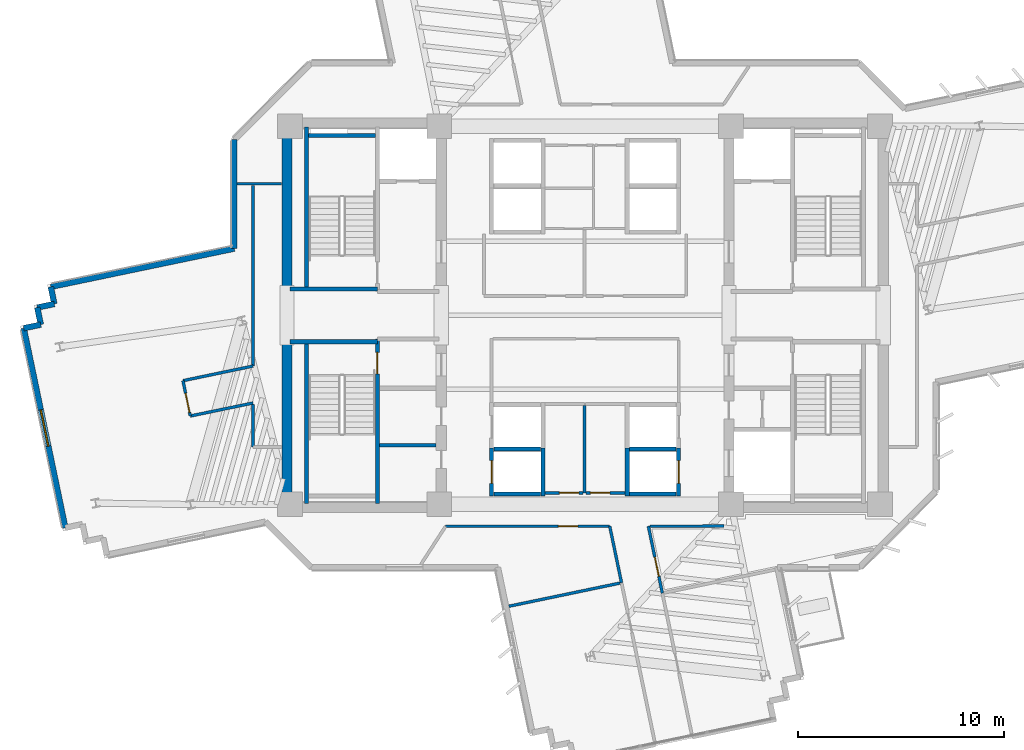
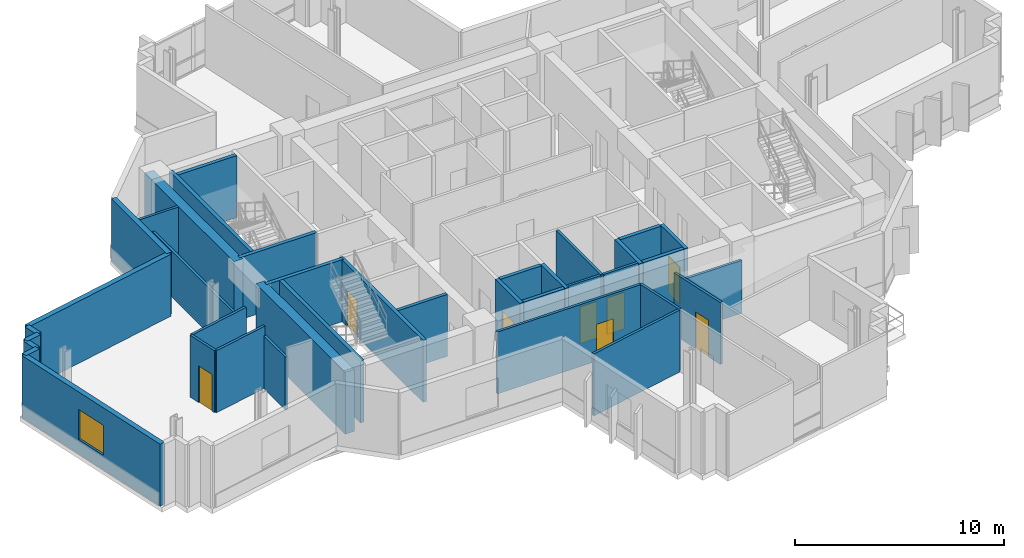
# One storey, part 7 of 14: 38 walls, 8 doors, 1 window, 9 openings.
"""IFC4 building model written with IfcOpenShell, lengths in metres."""

from ifc_helpers import new_model, si_unit, direction, frame, frame_2d, origin, place, context, subcontext, project, spatial, rectangle, extrude, source, transform, mapped, material, layer, layer_set, type_object, element, fill, save


model = new_model("IFC4")

# Units and contexts
model_context = context("Model", 3, precision=1e-05, world=origin(), true_north=direction((0.0, 1.0)))
body_context = subcontext(model_context, "Body", "Model", "MODEL_VIEW")
ifc_project = project(units=[si_unit("LENGTHUNIT", "METRE"), si_unit("AREAUNIT", "SQUARE_METRE"), si_unit("VOLUMEUNIT", "CUBIC_METRE"), si_unit("PLANEANGLEUNIT", "RADIAN"), si_unit("MASSUNIT", "GRAM", prefix="KILO")], contexts=[model_context])

# Site, building, storey
site_placement = place(None, origin())
site = spatial("IfcSite", under=ifc_project, at=site_placement, CompositionType="ELEMENT")
building_placement = place(site_placement, origin())
building = spatial("IfcBuilding", under=site, at=building_placement, Name="Zahravan Cultural Tower", CompositionType="ELEMENT")
storey_placement = place(building_placement, frame((0.0, 0.0, 162.89990234375)))
storey = spatial("IfcBuildingStorey", under=building, at=storey_placement, Name="L37", CompositionType="ELEMENT", Elevation=162.89990234375)

# Wall, opening, window
ifc_material_1 = material(Name="Precast concrete C40/50", Category="concrete")
ifc_layer_1 = layer(ifc_material_1, 0.280029296875)
ifc_layer_set_1 = layer_set([ifc_layer_1], Name="Precast concrete C40/50")
wall_type_1 = type_object("IfcWallType", Name="EW-TC-280", PredefinedType="SOLIDWALL", material=ifc_layer_set_1)
wall_1_placement = place(storey_placement, frame((10.71826171875, 16.660888671875, 0.0), z_axis=(0.0, 0.0, 1.0), x_axis=(-0.204150812873, 0.978939449406, 0.0)))
wall_1 = element("IfcWall", 1, at=wall_1_placement, inside=storey, type_object=wall_type_1, Name="L37 Exterior Masonry Frame Wall 32", PredefinedType="SOLIDWALL", context=body_context, shape_type="SweptSolid", body=[
    extrude(rectangle(XDim=9.919921875, YDim=0.280029296875, at=frame_2d((4.9599609375, 0.0))), origin(), (0.0, 0.0, 1.0), 3.6201171875),
])
opening_1_placement = place(wall_1_placement, frame((4.06005859375, 0.0, 0.85009765625)))
opening_1 = element("IfcOpeningElement", 2, at=opening_1_placement, cuts=wall_1, Name="Opening WN-02", PredefinedType="OPENING", context=body_context, shape_type="SweptSolid", body=[
    extrude(rectangle(XDim=1.800048828125, YDim=1.75, at=frame_2d((0.89990234375, 0.875))), frame((0.0, 0.14990234375, 0.0), z_axis=(0.0, -1.0, 0.0), x_axis=(1.0, 0.0, 0.0)), (0.0, 0.0, 1.0), 0.300048828125),
])
ifc_material_2 = material(Name="Low-E solar-control double glazing", Category="glass")
window_type = type_object("IfcWindowType", Name="WN-REC-1800X1750", PartitioningType="DOUBLE_PANEL_VERTICAL", PredefinedType="WINDOW", material=ifc_material_2)
shared_shape_1 = source(origin(), body_context, "Body", "SweptSolid", [
    extrude(rectangle(XDim=1.800048828125, YDim=1.75, at=frame_2d((0.89990234375, 0.875))), frame((0.0, 0.030029296875, 0.0), z_axis=(0.0, -1.0, 0.0), x_axis=(1.0, 0.0, 0.0)), (0.0, 0.0, 1.0), 0.06005859375),
])
window_placement = place(opening_1_placement, origin())
window = element("IfcWindow", 3, at=window_placement, inside=storey, type_object=window_type, Name="L37 Recessed Solar Window 08", OverallHeight=1.75, OverallWidth=1.800048828125, PartitioningType="DOUBLE_PANEL_VERTICAL", PredefinedType="WINDOW", context=body_context, shape_type="MappedRepresentation", body=[
    mapped(shared_shape_1, transform((0.0, 0.0, 0.0), x_axis=(1.0, 0.0, 0.0), y_axis=(0.0, 1.0, 0.0), z_axis=(0.0, 0.0, 1.0), scale=1.0)),
])
fill(opening_1, window)

# Wall, opening, door
ifc_material_3 = material(Name="Gypsum plasterboard partition")
ifc_layer_2 = layer(ifc_material_3, 0.139892578125)
ifc_layer_set_2 = layer_set([ifc_layer_2], Name="Gypsum plasterboard partition")
wall_type_2 = type_object("IfcWallType", Name="W-PART-140", PredefinedType="PARTITIONING", material=ifc_layer_set_2)
wall_2_placement = place(storey_placement, frame((35.89501953125, 18.360107421875, 0.0), z_axis=(0.0, 0.0, 1.0), x_axis=(-1.0, 0.0, 0.0)))
wall_2 = element("IfcWall", 4, at=wall_2_placement, inside=storey, type_object=wall_type_2, Name="L37 Interior Wall 065", PredefinedType="PARTITIONING", context=body_context, shape_type="SweptSolid", body=[
    extrude(rectangle(XDim=1.840087890625, YDim=0.139892578125, at=frame_2d((0.919921875, 0.0))), origin(), (0.0, 0.0, 1.0), 3.6201171875),
])
opening_2_placement = place(wall_2_placement, frame((0.19580078125, 0.0, 0.0)))
opening_2 = element("IfcOpeningElement", 5, at=opening_2_placement, cuts=wall_2, Name="Opening D-L37-18", PredefinedType="OPENING", context=body_context, shape_type="SweptSolid", body=[
    extrude(rectangle(XDim=0.949951171875, YDim=2.14990234375, at=frame_2d((0.47509765625, 1.074951171875))), frame((0.0, 0.079833984375, 0.0), z_axis=(0.0, -1.0, 0.0), x_axis=(1.0, 0.0, 0.0)), (0.0, 0.0, 1.0), 0.159912109375),
])
ifc_material_4 = material(Name="Anodised bronze-aluminium mullion", Category="aluminium")
door_type_1 = type_object("IfcDoorType", Name="DR-ROOM-950", OperationType="NOTDEFINED", PredefinedType="DOOR", material=ifc_material_4)
shared_shape_2 = source(origin(), body_context, "Body", "SweptSolid", [
    extrude(rectangle(XDim=0.949951171875, YDim=2.14990234375, at=frame_2d((0.47509765625, 1.074951171875))), frame((0.0, 0.02490234375, 0.0), z_axis=(0.0, -1.0, 0.0), x_axis=(1.0, 0.0, 0.0)), (0.0, 0.0, 1.0), 0.050048828125),
])
door_1_placement = place(opening_2_placement, origin())
door_1 = element("IfcDoor", 6, at=door_1_placement, inside=storey, type_object=door_type_1, Name="L37 Door D-L37-18", OperationType="SINGLE_SWING_RIGHT", OverallHeight=2.14990234375, OverallWidth=0.949951171875, PredefinedType="DOOR", context=body_context, shape_type="MappedRepresentation", body=[
    mapped(shared_shape_2, transform((0.0, 0.0, 0.0), x_axis=(1.0, 0.0, 0.0), y_axis=(0.0, 1.0, 0.0), z_axis=(0.0, 0.0, 1.0), scale=1.0)),
])
fill(opening_2, door_1)

wall_3_placement = place(storey_placement, frame((37.945068359375, 18.360107421875, 0.0), z_axis=(0.0, 0.0, 1.0), x_axis=(-1.0, 0.0, 0.0)))
wall_3 = element("IfcWall", 7, at=wall_3_placement, inside=storey, type_object=wall_type_2, Name="L37 Interior Wall 067", PredefinedType="PARTITIONING", context=body_context, shape_type="SweptSolid", body=[
    extrude(rectangle(XDim=1.900146484375, YDim=0.139892578125, at=frame_2d((0.9501953125, 0.0))), origin(), (0.0, 0.0, 1.0), 3.6201171875),
])
opening_3_placement = place(wall_3_placement, frame((0.740966796875, 0.0, 0.0)))
opening_3 = element("IfcOpeningElement", 8, at=opening_3_placement, cuts=wall_3, Name="Opening D-L37-19", PredefinedType="OPENING", context=body_context, shape_type="SweptSolid", body=[
    extrude(rectangle(XDim=0.949951171875, YDim=2.14990234375, at=frame_2d((0.47509765625, 1.074951171875))), frame((0.0, 0.079833984375, 0.0), z_axis=(0.0, -1.0, 0.0), x_axis=(1.0, 0.0, 0.0)), (0.0, 0.0, 1.0), 0.159912109375),
])
door_2_placement = place(opening_3_placement, origin())
door_2 = element("IfcDoor", 9, at=door_2_placement, inside=storey, type_object=door_type_1, Name="L37 Door D-L37-19", OperationType="SINGLE_SWING_LEFT", OverallHeight=2.14990234375, OverallWidth=0.949951171875, PredefinedType="DOOR", context=body_context, shape_type="MappedRepresentation", body=[
    mapped(shared_shape_2, transform((0.0, 0.0, 0.0), x_axis=(1.0, 0.0, 0.0), y_axis=(0.0, 1.0, 0.0), z_axis=(0.0, 0.0, 1.0), scale=1.0)),
])
fill(opening_3, door_2)

wall_4_placement = place(storey_placement, frame((29.219482421875, 16.739990234375, 0.0), z_axis=(0.0, 0.0, 1.0), x_axis=(1.0, 0.0, 0.0)))
wall_4 = element("IfcWall", 10, at=wall_4_placement, inside=storey, type_object=wall_type_2, Name="L37 Interior Wall 073", PredefinedType="PARTITIONING", context=body_context, shape_type="SweptSolid", body=[
    extrude(rectangle(XDim=7.98046875, YDim=0.139892578125, at=frame_2d((3.990234375, 0.0))), origin(), (0.0, 0.0, 1.0), 3.6201171875),
])
opening_4_placement = place(wall_4_placement, frame((5.483642578125, 0.0, 0.0)))
opening_4 = element("IfcOpeningElement", 11, at=opening_4_placement, cuts=wall_4, Name="Opening D-L37-25", PredefinedType="OPENING", context=body_context, shape_type="SweptSolid", body=[
    extrude(rectangle(XDim=0.949951171875, YDim=2.14990234375, at=frame_2d((0.47509765625, 1.074951171875))), frame((0.0, 0.079833984375, 0.0), z_axis=(0.0, -1.0, 0.0), x_axis=(1.0, 0.0, 0.0)), (0.0, 0.0, 1.0), 0.159912109375),
])
door_3_placement = place(opening_4_placement, origin())
door_3 = element("IfcDoor", 12, at=door_3_placement, inside=storey, type_object=door_type_1, Name="L37 Door D-L37-25", OperationType="SINGLE_SWING_LEFT", OverallHeight=2.14990234375, OverallWidth=0.949951171875, PredefinedType="DOOR", context=body_context, shape_type="MappedRepresentation", body=[
    mapped(shared_shape_2, transform((0.0, 0.0, 0.0), x_axis=(1.0, 0.0, 0.0), y_axis=(0.0, 1.0, 0.0), z_axis=(0.0, 0.0, 1.0), scale=1.0)),
])
fill(opening_4, door_3)

wall_5_placement = place(storey_placement, frame((39.7587890625, 13.482666015625, 0.0), z_axis=(0.0, 0.0, 1.0), x_axis=(-0.204124193585, 0.97894500029, 0.0)))
wall_5 = element("IfcWall", 13, at=wall_5_placement, inside=storey, type_object=wall_type_2, Name="L37 Interior Wall 080", PredefinedType="PARTITIONING", context=body_context, shape_type="SweptSolid", body=[
    extrude(rectangle(XDim=3.327392578125, YDim=0.139892578125, at=frame_2d((1.66357421875, 0.0))), origin(), (0.0, 0.0, 1.0), 3.6201171875),
])
opening_5_placement = place(wall_5_placement, frame((0.83203125, 0.0, 0.0)))
opening_5 = element("IfcOpeningElement", 14, at=opening_5_placement, cuts=wall_5, Name="Opening D-L37-27", PredefinedType="OPENING", context=body_context, shape_type="SweptSolid", body=[
    extrude(rectangle(XDim=0.949951171875, YDim=2.14990234375, at=frame_2d((0.47509765625, 1.074951171875))), frame((0.0, 0.079833984375, 0.0), z_axis=(0.0, -1.0, 0.0), x_axis=(1.0, 0.0, 0.0)), (0.0, 0.0, 1.0), 0.159912109375),
])
door_4_placement = place(opening_5_placement, origin())
door_4 = element("IfcDoor", 15, at=door_4_placement, inside=storey, type_object=door_type_1, Name="L37 Door D-L37-27", OperationType="SINGLE_SWING_LEFT", OverallHeight=2.14990234375, OverallWidth=0.949951171875, PredefinedType="DOOR", context=body_context, shape_type="MappedRepresentation", body=[
    mapped(shared_shape_2, transform((0.0, 0.0, 0.0), x_axis=(1.0, 0.0, 0.0), y_axis=(0.0, 1.0, 0.0), z_axis=(0.0, 0.0, 1.0), scale=1.0)),
])
fill(opening_5, door_4)

wall_6_placement = place(storey_placement, frame((16.43994140625, 23.818359375, 0.0), z_axis=(0.0, 0.0, 1.0), x_axis=(0.202959786933, -0.979187073489, 0.0)))
wall_6 = element("IfcWall", 16, at=wall_6_placement, inside=storey, type_object=wall_type_2, Name="L37 Interior Wall 099", PredefinedType="PARTITIONING", context=body_context, shape_type="SweptSolid", body=[
    extrude(rectangle(XDim=1.755126953125, YDim=0.139892578125, at=frame_2d((0.87744140625, 0.0))), origin(), (0.0, 0.0, 1.0), 3.6201171875),
])
opening_6_placement = place(wall_6_placement, frame((0.6279296875, 0.0, 0.0)))
opening_6 = element("IfcOpeningElement", 17, at=opening_6_placement, cuts=wall_6, Name="Opening D-L37-24", PredefinedType="OPENING", context=body_context, shape_type="SweptSolid", body=[
    extrude(rectangle(XDim=0.949951171875, YDim=2.14990234375, at=frame_2d((0.47509765625, 1.074951171875))), frame((0.0, 0.079833984375, 0.0), z_axis=(0.0, -1.0, 0.0), x_axis=(1.0, 0.0, 0.0)), (0.0, 0.0, 1.0), 0.159912109375),
])
door_5_placement = place(opening_6_placement, origin())
door_5 = element("IfcDoor", 18, at=door_5_placement, inside=storey, type_object=door_type_1, Name="L37 Door D-L37-24", OperationType="SINGLE_SWING_RIGHT", OverallHeight=2.14990234375, OverallWidth=0.949951171875, PredefinedType="DOOR", context=body_context, shape_type="MappedRepresentation", body=[
    mapped(shared_shape_2, transform((0.0, 0.0, 0.0), x_axis=(1.0, 0.0, 0.0), y_axis=(0.0, 1.0, 0.0), z_axis=(0.0, 0.0, 1.0), scale=1.0)),
])
fill(opening_6, door_5)

ifc_material_5 = material(Name="Concrete C45/55", Category="concrete")
ifc_layer_3 = layer(ifc_material_5, 0.199951171875)
ifc_layer_set_3 = layer_set([ifc_layer_3], Name="Concrete C45/55")
wall_type_3 = type_object("IfcWallType", Name="W-SHAFT-200", PredefinedType="SOLIDWALL", material=ifc_layer_set_3)
wall_7_placement = place(storey_placement, frame((25.89990234375, 17.85009765625, 0.0), z_axis=(0.0, 0.0, 1.0), x_axis=(0.0, 1.0, 0.0)))
wall_7 = element("IfcWall", 19, at=wall_7_placement, inside=storey, type_object=wall_type_3, Name="L37 Interior Wall 005", PredefinedType="SOLIDWALL", context=body_context, shape_type="SweptSolid", body=[
    extrude(rectangle(XDim=8.0, YDim=0.199951171875, at=frame_2d((4.0, 0.0))), origin(), (0.0, 0.0, 1.0), 3.6201171875),
])
opening_7_placement = place(wall_7_placement, frame((6.300048828125, 0.0, 0.0)))
opening_7 = element("IfcOpeningElement", 20, at=opening_7_placement, cuts=wall_7, Name="Opening D-L37-04", PredefinedType="OPENING", context=body_context, shape_type="SweptSolid", body=[
    extrude(rectangle(XDim=1.050048828125, YDim=2.14990234375, at=frame_2d((0.52490234375, 1.074951171875))), frame((0.0, 0.10986328125, 0.0), z_axis=(0.0, -1.0, 0.0), x_axis=(1.0, 0.0, 0.0)), (0.0, 0.0, 1.0), 0.219970703125),
])
ifc_material_6 = material(Name="Steel ASTM A572 Grade 50", Category="steel")
door_type_2 = type_object("IfcDoorType", Name="DR-STAIR-1050", OperationType="NOTDEFINED", PredefinedType="DOOR", material=ifc_material_6)
shared_shape_3 = source(origin(), body_context, "Body", "SweptSolid", [
    extrude(rectangle(XDim=1.050048828125, YDim=2.14990234375, at=frame_2d((0.52490234375, 1.074951171875))), frame((0.0, 0.02490234375, 0.0), z_axis=(0.0, -1.0, 0.0), x_axis=(1.0, 0.0, 0.0)), (0.0, 0.0, 1.0), 0.050048828125),
])
door_6_placement = place(opening_7_placement, origin())
door_6 = element("IfcDoor", 21, at=door_6_placement, inside=storey, type_object=door_type_2, Name="L37 Door D-L37-04", OperationType="SINGLE_SWING_RIGHT", OverallHeight=2.14990234375, OverallWidth=1.050048828125, PredefinedType="DOOR", context=body_context, shape_type="MappedRepresentation", body=[
    mapped(shared_shape_3, transform((0.0, 0.0, 0.0), x_axis=(1.0, 0.0, 0.0), y_axis=(0.0, 1.0, 0.0), z_axis=(0.0, 0.0, 1.0), scale=1.0)),
])
fill(opening_7, door_6)

wall_8_placement = place(storey_placement, frame((31.449951171875, 18.199951171875, 0.0), z_axis=(0.0, 0.0, 1.0), x_axis=(0.0, 1.0, 0.0)))
wall_8 = element("IfcWall", 22, at=wall_8_placement, inside=storey, type_object=wall_type_3, Name="L37 Interior Wall 046", PredefinedType="SOLIDWALL", context=body_context, shape_type="SweptSolid", body=[
    extrude(rectangle(XDim=2.35009765625, YDim=0.199951171875, at=frame_2d((1.175048828125, 0.0))), origin(), (0.0, 0.0, 1.0), 3.6201171875),
])
opening_8_placement = place(wall_8_placement, frame((0.625, 0.0, 0.0)))
opening_8 = element("IfcOpeningElement", 23, at=opening_8_placement, cuts=wall_8, Name="Opening LD-L37-05", PredefinedType="OPENING", context=body_context, shape_type="SweptSolid", body=[
    extrude(rectangle(XDim=1.10009765625, YDim=2.14990234375, at=frame_2d((0.550048828125, 1.074951171875))), frame((0.0, 0.10986328125, 0.0), z_axis=(0.0, -1.0, 0.0), x_axis=(1.0, 0.0, 0.0)), (0.0, 0.0, 1.0), 0.219970703125),
])
door_type_3 = type_object("IfcDoorType", Name="DR-LIFT-1100", OperationType="DOUBLE_DOOR_SLIDING", PredefinedType="DOOR", material=ifc_material_6)
shared_shape_4 = source(origin(), body_context, "Body", "SweptSolid", [
    extrude(rectangle(XDim=1.10009765625, YDim=2.14990234375, at=frame_2d((0.550048828125, 1.074951171875))), frame((0.0, 0.02490234375, 0.0), z_axis=(0.0, -1.0, 0.0), x_axis=(1.0, 0.0, 0.0)), (0.0, 0.0, 1.0), 0.050048828125),
])
door_7_placement = place(opening_8_placement, origin())
door_7 = element("IfcDoor", 24, at=door_7_placement, inside=storey, type_object=door_type_3, Name="L37 Door LD-L37-05", OperationType="DOUBLE_DOOR_SLIDING", OverallHeight=2.14990234375, OverallWidth=1.10009765625, PredefinedType="DOOR", context=body_context, shape_type="MappedRepresentation", body=[
    mapped(shared_shape_4, transform((0.0, 0.0, 0.0), x_axis=(1.0, 0.0, 0.0), y_axis=(0.0, 1.0, 0.0), z_axis=(0.0, 0.0, 1.0), scale=1.0)),
])
fill(opening_8, door_7)

wall_9_placement = place(storey_placement, frame((40.550048828125, 18.199951171875, 0.0), z_axis=(0.0, 0.0, 1.0), x_axis=(0.0, 1.0, 0.0)))
wall_9 = element("IfcWall", 25, at=wall_9_placement, inside=storey, type_object=wall_type_3, Name="L37 Interior Wall 054", PredefinedType="SOLIDWALL", context=body_context, shape_type="SweptSolid", body=[
    extrude(rectangle(XDim=2.35009765625, YDim=0.199951171875, at=frame_2d((1.175048828125, 0.0))), origin(), (0.0, 0.0, 1.0), 3.6201171875),
])
opening_9_placement = place(wall_9_placement, frame((0.625, 0.0, 0.0)))
opening_9 = element("IfcOpeningElement", 26, at=opening_9_placement, cuts=wall_9, Name="Opening LD-L37-07", PredefinedType="OPENING", context=body_context, shape_type="SweptSolid", body=[
    extrude(rectangle(XDim=1.10009765625, YDim=2.14990234375, at=frame_2d((0.550048828125, 1.074951171875))), frame((0.0, 0.10986328125, 0.0), z_axis=(0.0, -1.0, 0.0), x_axis=(1.0, 0.0, 0.0)), (0.0, 0.0, 1.0), 0.219970703125),
])
door_8_placement = place(opening_9_placement, origin())
door_8 = element("IfcDoor", 27, at=door_8_placement, inside=storey, type_object=door_type_3, Name="L37 Door LD-L37-07", OperationType="DOUBLE_DOOR_SLIDING", OverallHeight=2.14990234375, OverallWidth=1.10009765625, PredefinedType="DOOR", context=body_context, shape_type="MappedRepresentation", body=[
    mapped(shared_shape_4, transform((0.0, 0.0, 0.0), x_axis=(1.0, 0.0, 0.0), y_axis=(0.0, 1.0, 0.0), z_axis=(0.0, 0.0, 1.0), scale=1.0)),
])
fill(opening_9, door_8)

# Walls
ifc_material_7 = material(Name="Concrete C60/75", Category="concrete")
ifc_layer_4 = layer(ifc_material_7, 0.5)
ifc_layer_set_4 = layer_set([ifc_layer_4], Name="Concrete C60/75")
wall_type_4 = type_object("IfcWallType", Name="CW-SHEAR-500-C60", PredefinedType="SHEAR", material=ifc_layer_set_4)
shared_shape_5 = source(origin(), body_context, "Body", "SweptSolid", [
    extrude(rectangle(XDim=8.550048828125, YDim=0.5, at=frame_2d((4.27490234375, 0.0))), origin(), (0.0, 0.0, 1.0), 3.6201171875),
])
for number, where, z_axis, x_axis, name in (
    (28, (21.5, 17.39990234375, 0.0), (0.0, 0.0, 1.0), (0.0, 1.0, 0.0), "L37 Core Shear Wall CW-W-WS-L37"),
    (29, (21.5, 28.050048828125, 0.0), (0.0, 0.0, 1.0), (0.0, 1.0, 0.0), "L37 Core Shear Wall CW-W-WN-L37"),
):
    element("IfcWall", number, at=place(storey_placement, frame(where, z_axis=z_axis, x_axis=x_axis)), inside=storey, type_object=wall_type_4, Name=name, PredefinedType="SHEAR", context=body_context, shape_type="MappedRepresentation", body=[
        mapped(shared_shape_5, transform((0.0, 0.0, 0.0), x_axis=(1.0, 0.0, 0.0), y_axis=(0.0, 1.0, 0.0), z_axis=(0.0, 0.0, 1.0), scale=1.0)),
    ])
shared_shape_6 = source(origin(), body_context, "Body", "SweptSolid", [
    extrude(rectangle(XDim=0.85009765625, YDim=0.280029296875, at=frame_2d((0.425048828125, 0.0))), origin(), (0.0, 0.0, 1.0), 3.6201171875),
])
wall_10_placement = place(storey_placement, frame((10.18359375, 27.551025390625, 0.0), z_axis=(0.0, 0.0, 1.0), x_axis=(-0.203896913579, 0.97899236393, 0.0)))
element("IfcWall", 30, at=wall_10_placement, inside=storey, type_object=wall_type_1, Name="L37 Exterior Masonry Frame Wall 36", PredefinedType="SOLIDWALL", context=body_context, shape_type="MappedRepresentation", body=[
    mapped(shared_shape_6, transform((0.0, 0.0, 0.0), x_axis=(1.0, 0.0, 0.0), y_axis=(0.0, 1.0, 0.0), z_axis=(0.0, 0.0, 1.0), scale=1.0)),
])
shared_shape_7 = source(origin(), body_context, "Body", "SweptSolid", [
    extrude(rectangle(XDim=0.849853515625, YDim=0.280029296875, at=frame_2d((0.4248046875, 0.0))), origin(), (0.0, 0.0, 1.0), 3.6201171875),
])
for number, where, z_axis, x_axis, name in (
    (31, (8.693115234375, 26.371826171875, 0.0), (0.0, 0.0, 1.0), (0.978923028084, 0.20422954019, 0.0), "L37 Exterior Masonry Frame Wall 33"),
    (32, (9.525146484375, 26.54541015625, 0.0), (0.0, 0.0, 1.0), (-0.20422954019, 0.978923028084, 0.0), "L37 Exterior Masonry Frame Wall 34"),
    (33, (9.3515625, 27.37744140625, 0.0), (0.0, 0.0, 1.0), (0.978923028084, 0.20422954019, 0.0), "L37 Exterior Masonry Frame Wall 35"),
):
    element("IfcWall", number, at=place(storey_placement, frame(where, z_axis=z_axis, x_axis=x_axis)), inside=storey, type_object=wall_type_1, Name=name, PredefinedType="SOLIDWALL", context=body_context, shape_type="MappedRepresentation", body=[
        mapped(shared_shape_7, transform((0.0, 0.0, 0.0), x_axis=(1.0, 0.0, 0.0), y_axis=(0.0, 1.0, 0.0), z_axis=(0.0, 0.0, 1.0), scale=1.0)),
    ])
shared_shape_8 = source(origin(), body_context, "Body", "SweptSolid", [
    extrude(rectangle(XDim=9.121826171875, YDim=0.280029296875, at=frame_2d((4.56103515625, 0.0))), origin(), (0.0, 0.0, 1.0), 3.6201171875),
])
wall_11_placement = place(storey_placement, frame((10.01025390625, 28.38330078125, 0.0), z_axis=(0.0, 0.0, 1.0), x_axis=(0.978937646314, 0.204159458828, 0.0)))
element("IfcWall", 34, at=wall_11_placement, inside=storey, type_object=wall_type_1, Name="L37 Exterior Masonry Frame Wall 37", PredefinedType="SOLIDWALL", context=body_context, shape_type="MappedRepresentation", body=[
    mapped(shared_shape_8, transform((0.0, 0.0, 0.0), x_axis=(1.0, 0.0, 0.0), y_axis=(0.0, 1.0, 0.0), z_axis=(0.0, 0.0, 1.0), scale=1.0)),
])
shared_shape_9 = source(origin(), body_context, "Body", "SweptSolid", [
    extrude(rectangle(XDim=5.29638671875, YDim=0.280029296875, at=frame_2d((2.648193359375, 0.0))), origin(), (0.0, 0.0, 1.0), 3.6201171875),
])
wall_12_placement = place(storey_placement, frame((18.93994140625, 30.24560546875, 0.0), z_axis=(0.0, 0.0, 1.0), x_axis=(0.0, 1.0, 0.0)))
element("IfcWall", 35, at=wall_12_placement, inside=storey, type_object=wall_type_1, Name="L37 Exterior Masonry Frame Wall 38", PredefinedType="SOLIDWALL", context=body_context, shape_type="MappedRepresentation", body=[
    mapped(shared_shape_9, transform((0.0, 0.0, 0.0), x_axis=(1.0, 0.0, 0.0), y_axis=(0.0, 1.0, 0.0), z_axis=(0.0, 0.0, 1.0), scale=1.0)),
])
shared_shape_10 = source(origin(), body_context, "Body", "SweptSolid", [
    extrude(rectangle(XDim=7.869873046875, YDim=0.199951171875, at=frame_2d((3.93505859375, 0.0))), origin(), (0.0, 0.0, 1.0), 3.6201171875),
])
for number, where, z_axis, x_axis, name in (
    (36, (22.449951171875, 17.85009765625, 0.0), (0.0, 0.0, 1.0), (0.0, 1.0, 0.0), "L37 Interior Wall 001"),
    (37, (22.449951171875, 28.280029296875, 0.0), (0.0, 0.0, 1.0), (0.0, 1.0, 0.0), "L37 Interior Wall 002"),
):
    element("IfcWall", number, at=place(storey_placement, frame(where, z_axis=z_axis, x_axis=x_axis)), inside=storey, type_object=wall_type_3, Name=name, PredefinedType="SOLIDWALL", context=body_context, shape_type="MappedRepresentation", body=[
        mapped(shared_shape_10, transform((0.0, 0.0, 0.0), x_axis=(1.0, 0.0, 0.0), y_axis=(0.0, 1.0, 0.0), z_axis=(0.0, 0.0, 1.0), scale=1.0)),
    ])
shared_shape_11 = source(origin(), body_context, "Body", "SweptSolid", [
    extrude(rectangle(XDim=4.25, YDim=0.199951171875, at=frame_2d((2.125, 0.0))), origin(), (0.0, 0.0, 1.0), 3.6201171875),
])
for number, where, z_axis, x_axis, name in (
    (38, (21.64990234375, 25.715087890625, 0.0), (0.0, 0.0, 1.0), (1.0, 0.0, 0.0), "L37 Interior Wall 009"),
    (39, (21.64990234375, 28.284912109375, 0.0), (0.0, 0.0, 1.0), (1.0, 0.0, 0.0), "L37 Interior Wall 011"),
):
    element("IfcWall", number, at=place(storey_placement, frame(where, z_axis=z_axis, x_axis=x_axis)), inside=storey, type_object=wall_type_3, Name=name, PredefinedType="SOLIDWALL", context=body_context, shape_type="MappedRepresentation", body=[
        mapped(shared_shape_11, transform((0.0, 0.0, 0.0), x_axis=(1.0, 0.0, 0.0), y_axis=(0.0, 1.0, 0.0), z_axis=(0.0, 0.0, 1.0), scale=1.0)),
    ])
shared_shape_12 = source(origin(), body_context, "Body", "SweptSolid", [
    extrude(rectangle(XDim=3.25, YDim=0.199951171875, at=frame_2d((1.625, 0.0))), origin(), (0.0, 0.0, 1.0), 3.6201171875),
])
wall_13_placement = place(storey_placement, frame((22.550048828125, 35.75, 0.0), z_axis=(0.0, 0.0, 1.0), x_axis=(1.0, 0.0, 0.0)))
element("IfcWall", 40, at=wall_13_placement, inside=storey, type_object=wall_type_3, Name="L37 Interior Wall 017", PredefinedType="SOLIDWALL", context=body_context, shape_type="MappedRepresentation", body=[
    mapped(shared_shape_12, transform((0.0, 0.0, 0.0), x_axis=(1.0, 0.0, 0.0), y_axis=(0.0, 1.0, 0.0), z_axis=(0.0, 0.0, 1.0), scale=1.0)),
])
ifc_layer_5 = layer(ifc_material_3, 0.179931640625)
ifc_layer_set_5 = layer_set([ifc_layer_5], Name="Gypsum plasterboard partition")
wall_type_5 = type_object("IfcWallType", Name="W-COMP-180", PredefinedType="PARTITIONING", material=ifc_layer_set_5)
shared_shape_13 = source(origin(), body_context, "Body", "SweptSolid", [
    extrude(rectangle(XDim=2.75, YDim=0.179931640625, at=frame_2d((1.375, 0.0))), origin(), (0.0, 0.0, 1.0), 3.6201171875),
])
wall_14_placement = place(storey_placement, frame((26.0, 20.679931640625, 0.0), z_axis=(0.0, 0.0, 1.0), x_axis=(1.0, 0.0, 0.0)))
element("IfcWall", 41, at=wall_14_placement, inside=storey, type_object=wall_type_5, Name="L37 Interior Wall 026", PredefinedType="PARTITIONING", context=body_context, shape_type="MappedRepresentation", body=[
    mapped(shared_shape_13, transform((0.0, 0.0, 0.0), x_axis=(1.0, 0.0, 0.0), y_axis=(0.0, 1.0, 0.0), z_axis=(0.0, 0.0, 1.0), scale=1.0)),
])
shared_shape_14 = source(origin(), body_context, "Body", "SweptSolid", [
    extrude(rectangle(XDim=2.260009765625, YDim=0.199951171875, at=frame_2d((1.1298828125, 0.0))), origin(), (0.0, 0.0, 1.0), 3.6201171875),
])
for number, where, z_axis, x_axis, name in (
    (42, (31.570068359375, 20.5, 0.0), (0.0, 0.0, 1.0), (1.0, 0.0, 0.0), "L37 Interior Wall 044"),
    (43, (31.570068359375, 18.300048828125, 0.0), (0.0, 0.0, 1.0), (1.0, 0.0, 0.0), "L37 Interior Wall 048"),
    (44, (38.169921875, 20.5, 0.0), (0.0, 0.0, 1.0), (1.0, 0.0, 0.0), "L37 Interior Wall 051"),
    (45, (38.169921875, 18.300048828125, 0.0), (0.0, 0.0, 1.0), (1.0, 0.0, 0.0), "L37 Interior Wall 055"),
):
    element("IfcWall", number, at=place(storey_placement, frame(where, z_axis=z_axis, x_axis=x_axis)), inside=storey, type_object=wall_type_3, Name=name, PredefinedType="SOLIDWALL", context=body_context, shape_type="MappedRepresentation", body=[
        mapped(shared_shape_14, transform((0.0, 0.0, 0.0), x_axis=(1.0, 0.0, 0.0), y_axis=(0.0, 1.0, 0.0), z_axis=(0.0, 0.0, 1.0), scale=1.0)),
    ])
shared_shape_15 = source(origin(), body_context, "Body", "SweptSolid", [
    extrude(rectangle(XDim=2.35009765625, YDim=0.199951171875, at=frame_2d((1.175048828125, 0.0))), origin(), (0.0, 0.0, 1.0), 3.6201171875),
])
for number, where, z_axis, x_axis, name in (
    (46, (33.949951171875, 18.199951171875, 0.0), (0.0, 0.0, 1.0), (0.0, 1.0, 0.0), "L37 Interior Wall 047"),
    (47, (38.050048828125, 18.199951171875, 0.0), (0.0, 0.0, 1.0), (0.0, 1.0, 0.0), "L37 Interior Wall 053"),
):
    element("IfcWall", number, at=place(storey_placement, frame(where, z_axis=z_axis, x_axis=x_axis)), inside=storey, type_object=wall_type_3, Name=name, PredefinedType="SOLIDWALL", context=body_context, shape_type="MappedRepresentation", body=[
        mapped(shared_shape_15, transform((0.0, 0.0, 0.0), x_axis=(1.0, 0.0, 0.0), y_axis=(0.0, 1.0, 0.0), z_axis=(0.0, 0.0, 1.0), scale=1.0)),
    ])
shared_shape_16 = source(origin(), body_context, "Body", "SweptSolid", [
    extrude(rectangle(XDim=4.244873046875, YDim=0.139892578125, at=frame_2d((2.12255859375, 0.0))), origin(), (0.0, 0.0, 1.0), 3.6201171875),
])
wall_15_placement = place(storey_placement, frame((35.969970703125, 22.60498046875, 0.0), z_axis=(0.0, 0.0, 1.0), x_axis=(0.0, -1.0, 0.0)))
element("IfcWall", 48, at=wall_15_placement, inside=storey, type_object=wall_type_2, Name="L37 Interior Wall 064", PredefinedType="PARTITIONING", context=body_context, shape_type="MappedRepresentation", body=[
    mapped(shared_shape_16, transform((0.0, 0.0, 0.0), x_axis=(1.0, 0.0, 0.0), y_axis=(0.0, 1.0, 0.0), z_axis=(0.0, 0.0, 1.0), scale=1.0)),
])
shared_shape_17 = source(origin(), body_context, "Body", "SweptSolid", [
    extrude(rectangle(XDim=5.52001953125, YDim=0.139892578125, at=frame_2d((2.760009765625, 0.0))), origin(), (0.0, 0.0, 1.0), 3.6201171875),
])
wall_16_placement = place(storey_placement, frame((37.700439453125, 13.972900390625, 0.0), z_axis=(0.0, 0.0, 1.0), x_axis=(-0.978929612498, -0.204197976909, 0.0)))
element("IfcWall", 49, at=wall_16_placement, inside=storey, type_object=wall_type_2, Name="L37 Interior Wall 075", PredefinedType="PARTITIONING", context=body_context, shape_type="MappedRepresentation", body=[
    mapped(shared_shape_17, transform((0.0, 0.0, 0.0), x_axis=(1.0, 0.0, 0.0), y_axis=(0.0, 1.0, 0.0), z_axis=(0.0, 0.0, 1.0), scale=1.0)),
])
shared_shape_18 = source(origin(), body_context, "Body", "SweptSolid", [
    extrude(rectangle(XDim=2.81103515625, YDim=0.139892578125, at=frame_2d((1.405517578125, 0.0))), origin(), (0.0, 0.0, 1.0), 3.6201171875),
])
wall_17_placement = place(storey_placement, frame((37.199951171875, 16.739990234375, 0.0), z_axis=(0.0, 0.0, 1.0), x_axis=(0.204092977776, -0.978951508719, 0.0)))
element("IfcWall", 50, at=wall_17_placement, inside=storey, type_object=wall_type_2, Name="L37 Interior Wall 074", PredefinedType="PARTITIONING", context=body_context, shape_type="MappedRepresentation", body=[
    mapped(shared_shape_18, transform((0.0, 0.0, 0.0), x_axis=(1.0, 0.0, 0.0), y_axis=(0.0, 1.0, 0.0), z_axis=(0.0, 0.0, 1.0), scale=1.0)),
])
shared_shape_19 = source(origin(), body_context, "Body", "SweptSolid", [
    extrude(rectangle(XDim=3.590576171875, YDim=0.139892578125, at=frame_2d((1.79541015625, 0.0))), origin(), (0.0, 0.0, 1.0), 3.0791015625),
])
wall_18_placement = place(storey_placement, frame((39.156005859375, 16.739990234375, 0.0), z_axis=(0.0, 0.0, 1.0), x_axis=(0.999999942209, 0.000339974142, 0.0)))
element("IfcWall", 51, at=wall_18_placement, inside=storey, type_object=wall_type_2, Name="L37 Interior Wall 081", PredefinedType="PARTITIONING", context=body_context, shape_type="MappedRepresentation", body=[
    mapped(shared_shape_19, transform((0.0, 0.0, 0.0), x_axis=(1.0, 0.0, 0.0), y_axis=(0.0, 1.0, 0.0), z_axis=(0.0, 0.0, 1.0), scale=1.0)),
])
shared_shape_20 = source(origin(), body_context, "Body", "SweptSolid", [
    extrude(rectangle(XDim=3.118896484375, YDim=0.139892578125, at=frame_2d((1.5595703125, 0.0))), origin(), (0.0, 0.0, 1.0), 3.6201171875),
])
wall_19_placement = place(storey_placement, frame((16.796142578125, 22.099853515625, 0.0), z_axis=(0.0, 0.0, 1.0), x_axis=(0.979183767092, 0.202975738114, 0.0)))
element("IfcWall", 52, at=wall_19_placement, inside=storey, type_object=wall_type_2, Name="L37 Interior Wall 100", PredefinedType="PARTITIONING", context=body_context, shape_type="MappedRepresentation", body=[
    mapped(shared_shape_20, transform((0.0, 0.0, 0.0), x_axis=(1.0, 0.0, 0.0), y_axis=(0.0, 1.0, 0.0), z_axis=(0.0, 0.0, 1.0), scale=1.0)),
])
shared_shape_21 = source(origin(), body_context, "Body", "SweptSolid", [
    extrude(rectangle(XDim=2.05517578125, YDim=0.139892578125, at=frame_2d((1.027587890625, 0.0))), origin(), (0.0, 0.0, 1.0), 3.0791015625),
])
wall_20_placement = place(storey_placement, frame((19.85009765625, 22.656494140625, 0.0), z_axis=(0.0, 0.0, 1.0), x_axis=(0.001069136951, -0.999999428473, 0.0)))
element("IfcWall", 53, at=wall_20_placement, inside=storey, type_object=wall_type_2, Name="L37 Interior Wall 101", PredefinedType="PARTITIONING", context=body_context, shape_type="MappedRepresentation", body=[
    mapped(shared_shape_21, transform((0.0, 0.0, 0.0), x_axis=(1.0, 0.0, 0.0), y_axis=(0.0, 1.0, 0.0), z_axis=(0.0, 0.0, 1.0), scale=1.0)),
])
shared_shape_22 = source(origin(), body_context, "Body", "SweptSolid", [
    extrude(rectangle(XDim=2.1650390625, YDim=0.139892578125, at=frame_2d((1.08251953125, 0.0))), origin(), (0.0, 0.0, 1.0), 3.6201171875),
])
wall_21_placement = place(storey_placement, frame((21.2451171875, 33.39990234375, 0.0), z_axis=(0.0, 0.0, 1.0), x_axis=(-1.0, 0.0, 0.0)))
element("IfcWall", 54, at=wall_21_placement, inside=storey, type_object=wall_type_2, Name="L37 Interior Wall 103", PredefinedType="PARTITIONING", context=body_context, shape_type="MappedRepresentation", body=[
    mapped(shared_shape_22, transform((0.0, 0.0, 0.0), x_axis=(1.0, 0.0, 0.0), y_axis=(0.0, 1.0, 0.0), z_axis=(0.0, 0.0, 1.0), scale=1.0)),
])
shared_shape_23 = source(origin(), body_context, "Body", "SweptSolid", [
    extrude(rectangle(XDim=8.7939453125, YDim=0.139892578125, at=frame_2d((4.39697265625, 0.0))), origin(), (0.0, 0.0, 1.0), 2.693115234375),
])
wall_22_placement = place(storey_placement, frame((19.850341796875, 33.324951171875, 0.0), z_axis=(0.0, 0.0, 1.0), x_axis=(-2.7762354e-05, -0.999999999615, 0.0)))
element("IfcWall", 55, at=wall_22_placement, inside=storey, type_object=wall_type_2, Name="L37 Interior Wall 104", PredefinedType="PARTITIONING", context=body_context, shape_type="MappedRepresentation", body=[
    mapped(shared_shape_23, transform((0.0, 0.0, 0.0), x_axis=(1.0, 0.0, 0.0), y_axis=(0.0, 1.0, 0.0), z_axis=(0.0, 0.0, 1.0), scale=1.0)),
])
shared_shape_24 = source(origin(), body_context, "Body", "SweptSolid", [
    extrude(rectangle(XDim=3.4736328125, YDim=0.139892578125, at=frame_2d((1.73681640625, 0.0))), origin(), (0.0, 0.0, 1.0), 3.6201171875),
])
wall_23_placement = place(storey_placement, frame((19.849853515625, 24.531005859375, 0.0), z_axis=(0.0, 0.0, 1.0), x_axis=(-0.978846306479, -0.204596941061, 0.0)))
element("IfcWall", 56, at=wall_23_placement, inside=storey, type_object=wall_type_2, Name="L37 Interior Wall 105", PredefinedType="PARTITIONING", context=body_context, shape_type="MappedRepresentation", body=[
    mapped(shared_shape_24, transform((0.0, 0.0, 0.0), x_axis=(1.0, 0.0, 0.0), y_axis=(0.0, 1.0, 0.0), z_axis=(0.0, 0.0, 1.0), scale=1.0)),
])

save(model, "model.ifc")
